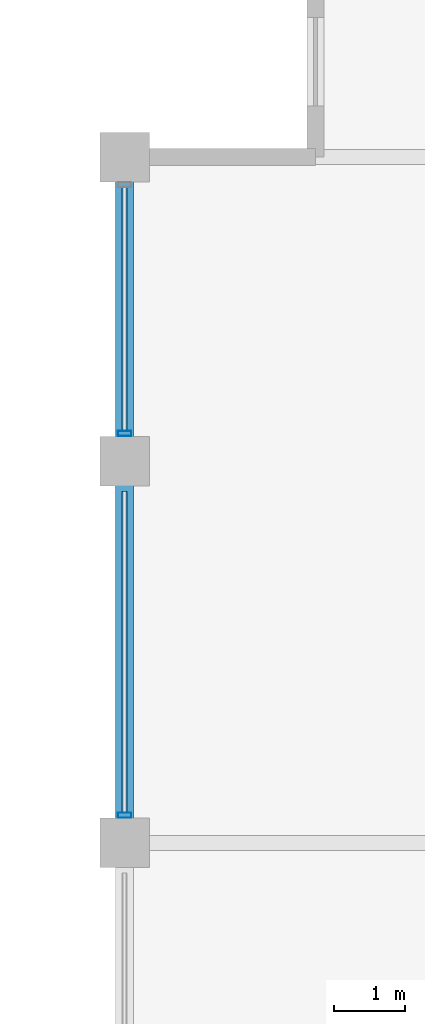
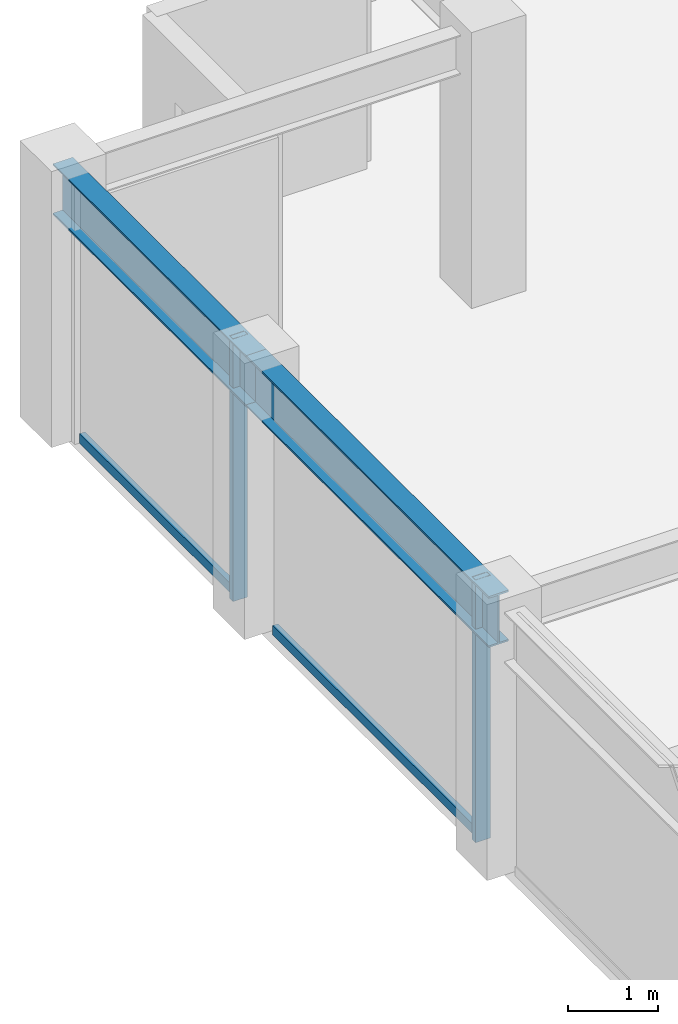
# One storey, part 15 of 32: 4 members, 2 beams, 1 element without a shape of its own.
"""IFC4 building model written with IfcOpenShell, lengths in metres."""

import ifcopenshell
import ifcopenshell.guid

model = None  # the IFC model being written
_history = None  # IfcOwnerHistory: only IFC2X3 demands one
_inside = {}  # id of a spatial element -> (the spatial element, [elements in it])
_under = {}  # id of a project, library or spatial element -> (it, [spatial elements below it])
_declared = {}  # id of a project -> (the project, [libraries it declares])
_typed = {}  # id of a type object -> (the type object, [elements of that type])
_made_of = {}  # id of a material, layer set ... -> (it, [elements and type objects made of it])


def new_model(schema):
    """Start an empty IFC model of exactly this schema.

    Asked for "IFC4X3", IfcOpenShell would pick the latest addendum, in which some entities
    have other attributes; the version numbers below select the first issue.
    IFC2X3 requires an IfcOwnerHistory on every rooted entity: one is made here for all.
    """
    global model, _history
    if schema == "IFC4X3":
        model = ifcopenshell.file(schema_version=(4, 3, 0, 0))
    else:
        model = ifcopenshell.file(schema=schema)
    _inside.clear()
    _under.clear()
    _declared.clear()
    _typed.clear()
    _made_of.clear()
    _history = None
    if model.schema == "IFC2X3":
        org = make("IfcOrganization", Name="unknown")
        user = make(
            "IfcPersonAndOrganization",
            ThePerson=make("IfcPerson", FamilyName="unknown"),
            TheOrganization=org,
        )
        app = make(
            "IfcApplication",
            ApplicationDeveloper=org,
            Version="unknown",
            ApplicationFullName="unknown",
            ApplicationIdentifier="unknown",
        )
        _history = make(
            "IfcOwnerHistory",
            OwningUser=user,
            OwningApplication=app,
            ChangeAction="ADDED",
            CreationDate=0,
        )
    return model


def make(cls, **values):
    """One entity of the class cls with the attributes given. An attribute that is None is left unset."""
    return model.create_entity(
        cls, **{name: value for name, value in values.items() if value is not None}
    )


def rooted(cls, **values):
    """An entity with a GlobalId (a new one), such as an element, a storey or a relation."""
    return make(cls, GlobalId=ifcopenshell.guid.new(), OwnerHistory=_history, **values)


def si_unit(unit_type, name, prefix=None):
    """IfcSIUnit, for example si_unit("LENGTHUNIT", "METRE", prefix="MILLI")."""
    return make("IfcSIUnit", UnitType=unit_type, Prefix=prefix, Name=name)


def assignment(units):
    """IfcUnitAssignment: the units of a project."""
    return None if units is None else make("IfcUnitAssignment", Units=units)


def point(xyz):
    """IfcCartesianPoint."""
    return None if xyz is None else make("IfcCartesianPoint", Coordinates=xyz)


def direction(xyz):
    """IfcDirection."""
    return None if xyz is None else make("IfcDirection", DirectionRatios=xyz)


def frame(location, z_axis=None, x_axis=None):
    """IfcAxis2Placement3D, a coordinate frame: its origin and axes. An axis left out is left unset."""
    return make(
        "IfcAxis2Placement3D",
        Location=point(location),
        Axis=direction(z_axis),
        RefDirection=direction(x_axis),
    )


def frame_2d(location, x_axis=None):
    """IfcAxis2Placement2D, a coordinate frame in the plane: its origin and x axis."""
    return make(
        "IfcAxis2Placement2D", Location=point(location), RefDirection=direction(x_axis)
    )


def origin():
    """The frame at (0, 0, 0) with its axes left unset."""
    return frame((0.0, 0.0, 0.0))


def origin_2d():
    """The frame at (0, 0) in the plane with its x axis left unset."""
    return frame_2d((0.0, 0.0))


def place(relative_to, where):
    """IfcLocalPlacement: puts the frame where relative to a parent placement (None: the world)."""
    return make(
        "IfcLocalPlacement", PlacementRelTo=relative_to, RelativePlacement=where
    )


def context(
    kind, dimensions, precision=None, world=None, true_north=None, identifier=None
):
    """IfcGeometricRepresentationContext, for example the 3D "Model" context."""
    return make(
        "IfcGeometricRepresentationContext",
        ContextIdentifier=identifier,
        ContextType=kind,
        CoordinateSpaceDimension=dimensions,
        Precision=precision,
        WorldCoordinateSystem=world,
        TrueNorth=true_north,
    )


def subcontext(parent, identifier, kind, view, scale=None):
    """IfcGeometricRepresentationSubContext, for example "Body" below "Model"."""
    return make(
        "IfcGeometricRepresentationSubContext",
        ContextIdentifier=identifier,
        ContextType=kind,
        ParentContext=parent,
        TargetScale=scale,
        TargetView=view,
    )


def project(units=None, contexts=None):
    """IfcProject with its units and contexts."""
    return rooted(
        "IfcProject",
        Name="project",
        RepresentationContexts=contexts,
        UnitsInContext=assignment(units),
    )


def spatial(cls, under=None, at=None, **own):
    """A site, building, storey or space (cls), placed at a placement, below another one or the project."""
    s = rooted(cls, ObjectPlacement=at, **own)
    if under is not None:
        _under.setdefault(under.id(), (under, []))[1].append(s)
    return s


def profile(cls, at=None, kind="AREA", **sizes):
    """A parametric profile (cls). Its sizes go by their IFC names, for example OverallWidth=200.0."""
    return make(cls, ProfileType=kind, Position=at, **sizes)


def hollow_rectangle(**sizes):
    """IfcRectangleHollowProfileDef."""
    return profile("IfcRectangleHollowProfileDef", **sizes)


def i_section(**sizes):
    """IfcIShapeProfileDef."""
    return profile("IfcIShapeProfileDef", **sizes)


def extrude(swept, where, along, depth):
    """IfcExtrudedAreaSolid: the profile swept, set in the frame where, extruded along a direction by depth."""
    return make(
        "IfcExtrudedAreaSolid",
        SweptArea=swept,
        Position=where,
        ExtrudedDirection=direction(along),
        Depth=depth,
    )


def shape(context_of_items, identifier, shape_type, items):
    """IfcShapeRepresentation: the items that make up one representation, for example the "Body"."""
    return make(
        "IfcShapeRepresentation",
        ContextOfItems=context_of_items,
        RepresentationIdentifier=identifier,
        RepresentationType=shape_type,
        Items=items,
    )


def material(Name=None, Category=None):
    """IfcMaterial."""
    return make("IfcMaterial", Name=Name, Category=Category)


def layer(
    of_material, thickness, ventilated=None, Name=None, Category=None, Priority=None
):
    """IfcMaterialLayer: one layer of a wall or slab, of a material (None: an air gap)."""
    return make(
        "IfcMaterialLayer",
        Material=of_material,
        LayerThickness=thickness,
        IsVentilated=ventilated,
        Name=Name,
        Category=Category,
        Priority=Priority,
    )


def layer_set(layers, Name=None):
    """IfcMaterialLayerSet."""
    return make("IfcMaterialLayerSet", MaterialLayers=layers, LayerSetName=Name)


def material_profile(
    of_material, cross_section, Name=None, Category=None, Priority=None
):
    """IfcMaterialProfile: a cross section and its material."""
    return make(
        "IfcMaterialProfile",
        Name=Name,
        Material=of_material,
        Profile=cross_section,
        Priority=Priority,
        Category=Category,
    )


def profile_set(profiles, Name=None, composite=None):
    """IfcMaterialProfileSet."""
    return make(
        "IfcMaterialProfileSet",
        Name=Name,
        MaterialProfiles=profiles,
        CompositeProfile=composite,
    )


def made_of(thing, what):
    """Note that an element or type object is made of a material, layer set ...; save() writes the relation."""
    if what is not None:
        _made_of.setdefault(what.id(), (what, []))[1].append(thing)
    return thing


def type_object(cls, material=None, **own):
    """A type object (cls), such as IfcWallType, which elements share."""
    return made_of(rooted(cls, **own), material)


def element(
    cls,
    number,
    at=None,
    inside=None,
    cuts=None,
    type_object=None,
    material=None,
    context=None,
    identifier="Body",
    shape_type=None,
    held_by="IfcProductDefinitionShape",
    body=None,
    shapes=None,
    **own,
):
    """One element of the class cls, such as IfcWall. Its Tag is "e" and its number.

    at: its placement. inside: the storey or other place that contains it. cuts: it is an
    opening in that element (IfcRelVoidsElement). A single representation is given by context,
    identifier, shape_type and body (its items); several are given by shapes. held_by: the class
    of the entity that holds the representations. save() writes the other relations.
    """
    e = rooted(cls, Tag="e%d" % number, ObjectPlacement=at, **own)
    if body is not None:
        shapes = [shape(context, identifier, shape_type, body)]
    if shapes is not None:
        e.Representation = make(held_by, Representations=shapes)
    if inside is not None:
        _inside.setdefault(inside.id(), (inside, []))[1].append(e)
    if cuts is not None:
        rooted(
            "IfcRelVoidsElement", RelatingBuildingElement=cuts, RelatedOpeningElement=e
        )
    if type_object is not None:
        _typed.setdefault(type_object.id(), (type_object, []))[1].append(e)
    return made_of(e, material)


def aggregate(whole, parts):
    """IfcRelAggregates: a whole, such as a stair, and the parts it consists of."""
    return rooted("IfcRelAggregates", RelatingObject=whole, RelatedObjects=parts)


def save(model, path):
    """Write the relations noted so far, then the file.

    IfcRelAggregates (storeys below a building ...), IfcRelContainedInSpatialStructure (elements
    in a storey), IfcRelDefinesByType, IfcRelAssociatesMaterial and IfcRelDeclares: one each for
    every whole, place, type object, material and project.
    """
    for whole, parts in _under.values():
        aggregate(whole, parts)
    for where, things in _inside.values():
        rooted(
            "IfcRelContainedInSpatialStructure",
            RelatedElements=things,
            RelatingStructure=where,
        )
    for kind, things in _typed.values():
        rooted("IfcRelDefinesByType", RelatedObjects=things, RelatingType=kind)
    for what, things in _made_of.values():
        rooted("IfcRelAssociatesMaterial", RelatedObjects=things, RelatingMaterial=what)
    for by, libraries in _declared.values():
        rooted("IfcRelDeclares", RelatingContext=by, RelatedDefinitions=libraries)
    model.write(path)


model = new_model("IFC4")

# Units and contexts
model_context = context("Model", 3, precision=1e-05, world=origin(), true_north=direction((0.0, 1.0)))
body_context = subcontext(model_context, "Body", "Model", "MODEL_VIEW")
ifc_project = project(units=[si_unit("LENGTHUNIT", "METRE"), si_unit("AREAUNIT", "SQUARE_METRE"), si_unit("VOLUMEUNIT", "CUBIC_METRE"), si_unit("PLANEANGLEUNIT", "RADIAN"), si_unit("MASSUNIT", "GRAM", prefix="KILO")], contexts=[model_context])

# Site, building, storey
site_placement = place(None, origin())
site = spatial("IfcSite", under=ifc_project, at=site_placement, CompositionType="ELEMENT")
building_placement = place(site_placement, origin())
building = spatial("IfcBuilding", under=site, at=building_placement, Name="Surkhivell Harbour Commons", CompositionType="ELEMENT")
storey_placement = place(building_placement, frame((0.0, 0.0, 311.25)))
storey = spatial("IfcBuildingStorey", under=building, at=storey_placement, Name="L81", CompositionType="ELEMENT", Elevation=311.25)

# Beams
ifc_material_1 = material(Name="Steel S355", Category="steel")
ifc_material_profile_1 = material_profile(ifc_material_1, i_section(OverallWidth=0.256103515625, OverallDepth=0.693115234375, WebThickness=0.014404296875, FlangeThickness=0.023681640625, at=origin_2d()), Name="UB686x254x170")
ifc_profile_set_1 = profile_set([ifc_material_profile_1], Name="Steel S355")
beam_type = type_object("IfcBeamType", Name="BM-SPN-686", PredefinedType="SPANDREL", material=ifc_profile_set_1)
beam_1_placement = place(storey_placement, frame((-27.0, 10.800048828125, 3.223388671875), z_axis=(0.0, 1.0, 0.0), x_axis=(-1.0, 0.0, 0.0)))
element("IfcBeam", 1, at=beam_1_placement, inside=storey, type_object=beam_type, Name="L81 Tube Spandrel (-27.0,10.8)", PredefinedType="SPANDREL", context=body_context, shape_type="SweptSolid", body=[
    extrude(i_section(OverallWidth=0.256103515625, OverallDepth=0.693115234375, WebThickness=0.014404296875, FlangeThickness=0.023681640625, at=origin_2d()), origin(), (0.0, 0.0, 1.0), 5.39990234375),
])
beam_2_placement = place(storey_placement, frame((-27.0, 16.199951171875, 3.223388671875), z_axis=(0.0, 1.0, 0.0), x_axis=(-1.0, 0.0, 0.0)))
element("IfcBeam", 2, at=beam_2_placement, inside=storey, type_object=beam_type, Name="L81 Tube Spandrel (-27.0,16.2)", PredefinedType="SPANDREL", context=body_context, shape_type="SweptSolid", body=[
    extrude(i_section(OverallWidth=0.256103515625, OverallDepth=0.693115234375, WebThickness=0.014404296875, FlangeThickness=0.023681640625, at=origin_2d()), origin(), (0.0, 0.0, 1.0), 4.300048828125),
])

# Curtain wall, members
ifc_material_2 = material(Name="Anodised pale-metal aluminium and insulated glazing", Category="aluminium")
ifc_layer = layer(ifc_material_2, 0.175048828125)
ifc_layer_set = layer_set([ifc_layer], Name="Anodised pale-metal aluminium and insulated glazing")
curtain_wall_type = type_object("IfcCurtainWallType", Name="CW-SYS-Z4", PredefinedType="NOTDEFINED", material=ifc_layer_set)
curtain_wall_placement = place(storey_placement, origin())
curtain_wall = element("IfcCurtainWall", 3, at=curtain_wall_placement, inside=storey, type_object=curtain_wall_type, Name="L81 Curtain Wall CW-L81-E12R2", PredefinedType="NOTDEFINED")
ifc_material_3 = material(Name="Anodised pale-metal aluminium alloy 6063-T6", Category="aluminium")
ifc_material_profile_2 = material_profile(ifc_material_3, hollow_rectangle(XDim=0.074951171875, YDim=0.18994140625, WallThickness=0.00390625, at=origin_2d()), Name="ALU-MULL-75x190")
ifc_profile_set_2 = profile_set([ifc_material_profile_2], Name="Anodised pale-metal aluminium alloy 6063-T6")
member_type_1 = type_object("IfcMemberType", Name="CWM-190", PredefinedType="MULLION", material=ifc_profile_set_2)
member_1_placement = place(storey_placement, frame((-27.0, 11.189453125, 0.0), z_axis=(0.0, 0.0, 1.0), x_axis=(0.0, 1.0, 0.0)))
member_1 = element("IfcMember", 4, at=member_1_placement, type_object=member_type_1, Name="CW-Z4 mullion 2", PredefinedType="MULLION", context=body_context, shape_type="SweptSolid", body=[
    extrude(hollow_rectangle(XDim=0.074951171875, YDim=0.18994140625, WallThickness=0.00390625, at=origin_2d()), origin(), (0.0, 0.0, 1.0), 3.570068359375),
])
member_2_placement = place(storey_placement, frame((-27.0, 16.589599609375, 0.0), z_axis=(0.0, 0.0, 1.0), x_axis=(0.0, 1.0, 0.0)))
member_2 = element("IfcMember", 5, at=member_2_placement, type_object=member_type_1, Name="CW-Z4 mullion 3", PredefinedType="MULLION", context=body_context, shape_type="SweptSolid", body=[
    extrude(hollow_rectangle(XDim=0.074951171875, YDim=0.18994140625, WallThickness=0.00390625, at=origin_2d()), origin(), (0.0, 0.0, 1.0), 3.570068359375),
])
ifc_material_4 = material(Name="Champagne anodised aluminium alloy 6063-T6", Category="aluminium")
ifc_material_profile_3 = material_profile(ifc_material_4, hollow_rectangle(XDim=0.070068359375, YDim=0.1298828125, WallThickness=0.00341796875, at=origin_2d()), Name="ALU-TRAN-70x130")
ifc_profile_set_3 = profile_set([ifc_material_profile_3], Name="Champagne anodised aluminium alloy 6063-T6")
member_type_2 = type_object("IfcMemberType", Name="CWT-130", PredefinedType="USERDEFINED", material=ifc_profile_set_3)
member_3_placement = place(storey_placement, frame((-27.0, 11.22705078125, 0.06494140625), z_axis=(0.0, 1.0, 0.0), x_axis=(-1.0, 0.0, 0.0)))
member_3 = element("IfcMember", 6, at=member_3_placement, type_object=member_type_2, Name="CW-Z4 transom 2.1", ObjectType="TRANSOM", PredefinedType="USERDEFINED", context=body_context, shape_type="SweptSolid", body=[
    extrude(hollow_rectangle(XDim=0.070068359375, YDim=0.1298828125, WallThickness=0.00341796875, at=origin_2d()), origin(), (0.0, 0.0, 1.0), 4.5458984375),
])
member_4_placement = place(storey_placement, frame((-27.0, 16.626953125, 0.06494140625), z_axis=(0.0, 1.0, 0.0), x_axis=(-1.0, 0.0, 0.0)))
member_4 = element("IfcMember", 7, at=member_4_placement, type_object=member_type_2, Name="CW-Z4 transom 3.1", ObjectType="TRANSOM", PredefinedType="USERDEFINED", context=body_context, shape_type="SweptSolid", body=[
    extrude(hollow_rectangle(XDim=0.070068359375, YDim=0.1298828125, WallThickness=0.00341796875, at=origin_2d()), origin(), (0.0, 0.0, 1.0), 3.446044921875),
])
aggregate(curtain_wall, [member_1, member_3, member_2, member_4])

save(model, "model.ifc")
